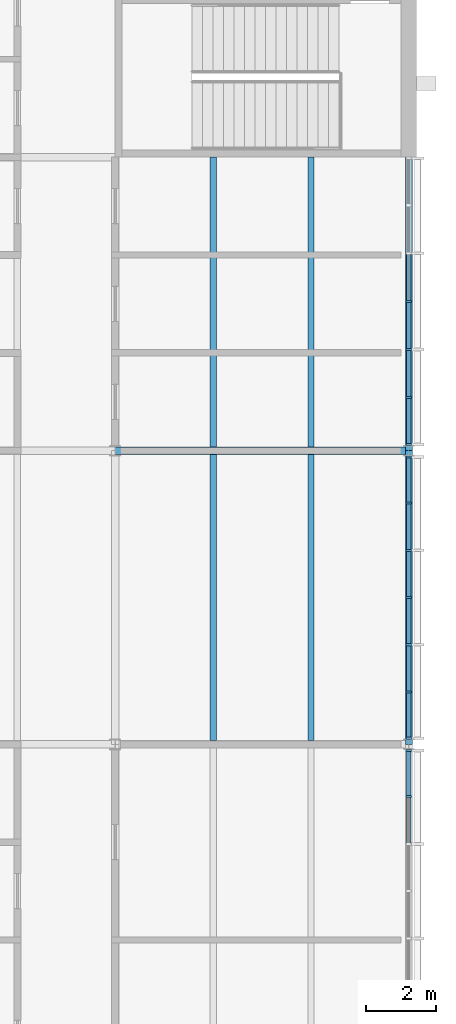
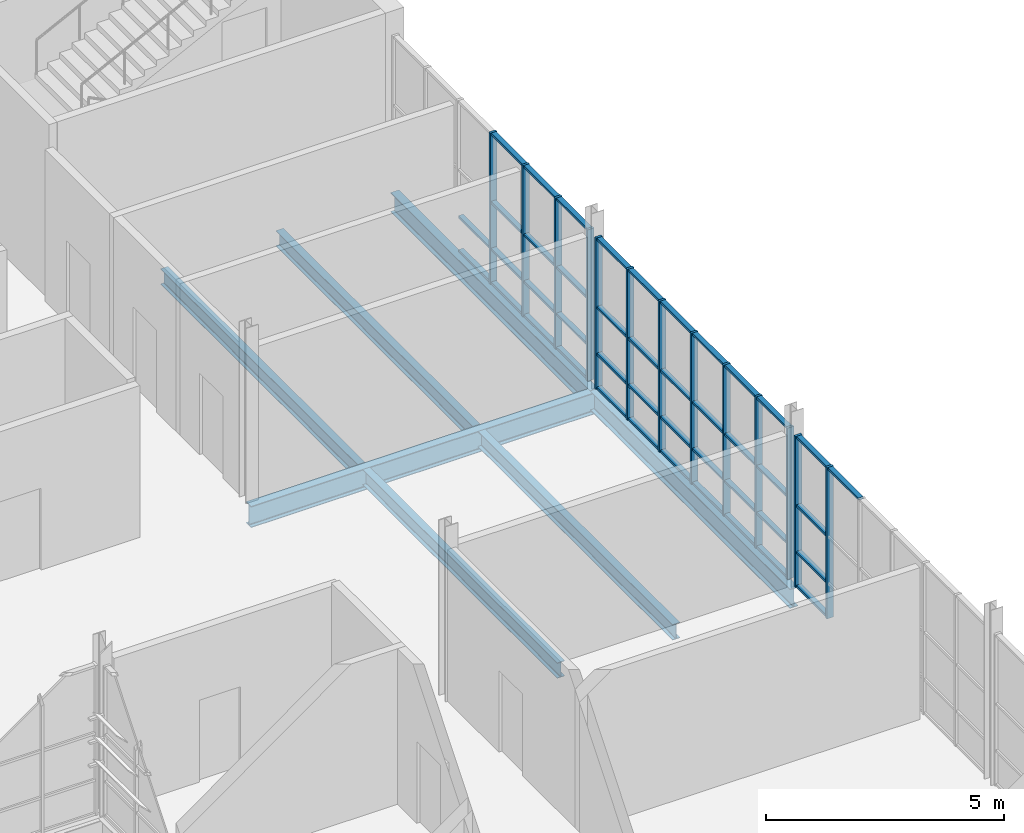
# One storey, part 57 of 129: 56 members, 7 beams, 3 elements without a shape of their own.
"""IFC4 building model written with IfcOpenShell, lengths in metres."""

from ifc_helpers import new_model, si_unit, direction, frame, origin, origin_2d, place, context, subcontext, project, spatial, rectangle, i_section, extrude, material, layer, layer_set, material_profile, profile_set, type_object, element, aggregate, save


model = new_model("IFC4")

# Units and contexts
model_context = context("Model", 3, precision=1e-05, world=origin(), true_north=direction((0.0, 1.0)))
body_context = subcontext(model_context, "Body", "Model", "MODEL_VIEW")
ifc_project = project(units=[si_unit("LENGTHUNIT", "METRE"), si_unit("AREAUNIT", "SQUARE_METRE"), si_unit("VOLUMEUNIT", "CUBIC_METRE"), si_unit("PLANEANGLEUNIT", "RADIAN"), si_unit("MASSUNIT", "GRAM", prefix="KILO")], contexts=[model_context])

# Site, building, storey
site_placement = place(None, origin())
site = spatial("IfcSite", under=ifc_project, at=site_placement, CompositionType="ELEMENT")
building_placement = place(site_placement, origin())
building = spatial("IfcBuilding", under=site, at=building_placement, Name="Ardhachandra Cancer Care Centre", CompositionType="ELEMENT")
storey_placement = place(building_placement, frame((0.0, 0.0, 4.5)))
storey = spatial("IfcBuildingStorey", under=building, at=storey_placement, Name="L01", CompositionType="ELEMENT", Elevation=4.5)

# Beams
ifc_material_1 = material(Name="Steel E350 (IS 2062)", Category="steel")
ifc_material_profile_1 = material_profile(ifc_material_1, i_section(OverallWidth=0.179931640625, OverallDepth=0.39990234375, WebThickness=0.008544921875, FlangeThickness=0.013427734375, FilletRadius=0.02099609375, at=origin_2d()), Name="NPB 400x180x66.30")
ifc_profile_set_1 = profile_set([ifc_material_profile_1], Name="Steel E350 (IS 2062)")
beam_type_1 = type_object("IfcBeamType", Name="Beam NPB 400x180x66.30", PredefinedType="BEAM", material=ifc_profile_set_1)
beam_1_placement = place(storey_placement, frame((139.60009765625, 54.705078125, -0.35009765625), z_axis=(0.0, 1.0, 0.0), x_axis=(-1.0, 0.0, 0.0)))
element("IfcBeam", 1, at=beam_1_placement, inside=storey, type_object=beam_type_1, Name="Secondary F16-G16@2800", PredefinedType="BEAM", context=body_context, shape_type="SweptSolid", body=[
    extrude(i_section(OverallWidth=0.179931640625, OverallDepth=0.39990234375, WebThickness=0.008544921875, FlangeThickness=0.013427734375, FilletRadius=0.02099609375, at=origin_2d()), origin(), (0.0, 0.0, 1.0), 8.18994140625),
])
beam_2_placement = place(storey_placement, frame((139.60009765625, 63.10498046875, -0.35009765625), z_axis=(0.0, 1.0, 0.0), x_axis=(-1.0, 0.0, 0.0)))
element("IfcBeam", 2, at=beam_2_placement, inside=storey, type_object=beam_type_1, Name="Secondary G16-H16@2800", PredefinedType="BEAM", context=body_context, shape_type="SweptSolid", body=[
    extrude(i_section(OverallWidth=0.179931640625, OverallDepth=0.39990234375, WebThickness=0.008544921875, FlangeThickness=0.013427734375, FilletRadius=0.02099609375, at=origin_2d()), origin(), (0.0, 0.0, 1.0), 8.294921875),
])
beam_3_placement = place(storey_placement, frame((142.39990234375, 54.705078125, -0.35009765625), z_axis=(0.0, 1.0, 0.0), x_axis=(-1.0, 0.0, 0.0)))
element("IfcBeam", 3, at=beam_3_placement, inside=storey, type_object=beam_type_1, Name="Secondary F16-G16@5600", PredefinedType="BEAM", context=body_context, shape_type="SweptSolid", body=[
    extrude(i_section(OverallWidth=0.179931640625, OverallDepth=0.39990234375, WebThickness=0.008544921875, FlangeThickness=0.013427734375, FilletRadius=0.02099609375, at=origin_2d()), origin(), (0.0, 0.0, 1.0), 8.18994140625),
])
beam_4_placement = place(storey_placement, frame((142.39990234375, 63.10498046875, -0.35009765625), z_axis=(0.0, 1.0, 0.0), x_axis=(-1.0, 0.0, 0.0)))
element("IfcBeam", 4, at=beam_4_placement, inside=storey, type_object=beam_type_1, Name="Secondary G16-H16@5600", PredefinedType="BEAM", context=body_context, shape_type="SweptSolid", body=[
    extrude(i_section(OverallWidth=0.179931640625, OverallDepth=0.39990234375, WebThickness=0.008544921875, FlangeThickness=0.013427734375, FilletRadius=0.02099609375, at=origin_2d()), origin(), (0.0, 0.0, 1.0), 8.294921875),
])
ifc_material_2 = material(Name="Steel E350 (IS 2062)", Category="steel")
ifc_material_profile_2 = material_profile(ifc_material_2, i_section(OverallWidth=0.199951171875, OverallDepth=0.5, WebThickness=0.01025390625, FlangeThickness=0.01611328125, FilletRadius=0.02099609375, at=origin_2d()), Name="NPB 500x200x90.68")
ifc_profile_set_2 = profile_set([ifc_material_profile_2], Name="Steel E350 (IS 2062)")
beam_type_2 = type_object("IfcBeamType", Name="Beam NPB 500x200x90.68", PredefinedType="BEAM", material=ifc_profile_set_2)
for number, where, z_axis, x_axis, name in (
    (5, (145.199951171875, 54.60009765625, -0.39990234375), (0.0, 1.0, 0.0), (-1.0, 0.0, 0.0), "Edge girder F17-G17"),
    (6, (145.199951171875, 63.0, -0.39990234375), (0.0, 1.0, 0.0), (-1.0, 0.0, 0.0), "Edge girder G17-H17"),
):
    element("IfcBeam", number, at=place(storey_placement, frame(where, z_axis=z_axis, x_axis=x_axis)), inside=storey, type_object=beam_type_2, Name=name, PredefinedType="BEAM", context=body_context, shape_type="SweptSolid", body=[
        extrude(i_section(OverallWidth=0.199951171875, OverallDepth=0.5, WebThickness=0.01025390625, FlangeThickness=0.01611328125, FilletRadius=0.02099609375, at=origin_2d()), origin(), (0.0, 0.0, 1.0), 8.39990234375),
    ])
ifc_material_3 = material(Name="Steel E350 (IS 2062)", Category="steel")
ifc_material_profile_3 = material_profile(ifc_material_3, i_section(OverallWidth=0.2099609375, OverallDepth=0.550048828125, WebThickness=0.010986328125, FlangeThickness=0.01708984375, FilletRadius=0.02392578125, at=origin_2d()), Name="NPB 550x210x105.52")
ifc_profile_set_3 = profile_set([ifc_material_profile_3], Name="Steel E350 (IS 2062)")
beam_type_3 = type_object("IfcBeamType", Name="Beam NPB 550x210x105.52", PredefinedType="BEAM", material=ifc_profile_set_3)
beam_5_placement = place(storey_placement, frame((136.800048828125, 63.0, -0.425048828125), z_axis=(1.0, 0.0, 0.0), x_axis=(0.0, 1.0, 0.0)))
element("IfcBeam", 7, at=beam_5_placement, inside=storey, type_object=beam_type_3, Name="Girder G16-G17", PredefinedType="BEAM", context=body_context, shape_type="SweptSolid", body=[
    extrude(i_section(OverallWidth=0.2099609375, OverallDepth=0.550048828125, WebThickness=0.010986328125, FlangeThickness=0.01708984375, FilletRadius=0.02392578125, at=origin_2d()), origin(), (0.0, 0.0, 1.0), 8.39990234375),
])

# Curtain wall, members
ifc_material_4 = material(Name="Aluminium extrusion", Category="aluminium")
ifc_layer = layer(ifc_material_4, 0.14990234375)
ifc_layer_set = layer_set([ifc_layer], Name="Aluminium extrusion")
curtain_wall_type = type_object("IfcCurtainWallType", Name="Curtain wall run", PredefinedType="NOTDEFINED", material=ifc_layer_set)
curtain_wall_1_placement = place(storey_placement, origin())
curtain_wall_1 = element("IfcCurtainWall", 8, at=curtain_wall_1_placement, inside=storey, type_object=curtain_wall_type, Name="Curtain wall L01 e/0145200_0046200", PredefinedType="NOTDEFINED")
ifc_material_5 = material(Name="Aluminium extrusion", Category="aluminium")
ifc_material_profile_4 = material_profile(ifc_material_5, rectangle(XDim=0.159912109375, YDim=0.06005859375, at=origin_2d()), Name="Curtain wall mullion 60 x 160")
ifc_profile_set_4 = profile_set([ifc_material_profile_4], Name="Aluminium extrusion")
member_type_1 = type_object("IfcMemberType", Name="Curtain wall mullion 60 x 160", PredefinedType="MULLION", material=ifc_profile_set_4)
member_1_placement = place(storey_placement, frame((145.199951171875, 53.103271484375, 0.0), z_axis=(0.0, 0.0, 1.0), x_axis=(-1.0, 0.0, 0.0)))
member_1 = element("IfcMember", 9, at=member_1_placement, type_object=member_type_1, Name="CW mullion 6", PredefinedType="MULLION", context=body_context, shape_type="SweptSolid", body=[
    extrude(rectangle(XDim=0.159912109375, YDim=0.06005859375, at=origin_2d()), origin(), (0.0, 0.0, 1.0), 3.885986328125),
])
member_2_placement = place(storey_placement, frame((145.199951171875, 54.425048828125, 0.0), z_axis=(0.0, 0.0, 1.0), x_axis=(-1.0, 0.0, 0.0)))
member_2 = element("IfcMember", 10, at=member_2_placement, type_object=member_type_1, Name="CW mullion 7", PredefinedType="MULLION", context=body_context, shape_type="SweptSolid", body=[
    extrude(rectangle(XDim=0.159912109375, YDim=0.06005859375, at=origin_2d()), origin(), (0.0, 0.0, 1.0), 3.885986328125),
])

curtain_wall_2_placement = place(storey_placement, origin())
curtain_wall_2 = element("IfcCurtainWall", 11, at=curtain_wall_2_placement, inside=storey, type_object=curtain_wall_type, Name="Curtain wall L01 e/0145200_0054600", PredefinedType="NOTDEFINED")
member_3_placement = place(storey_placement, frame((145.199951171875, 54.77490234375, 0.0), z_axis=(0.0, 0.0, 1.0), x_axis=(-1.0, 0.0, 0.0)))
member_3 = element("IfcMember", 12, at=member_3_placement, type_object=member_type_1, Name="CW mullion 1", PredefinedType="MULLION", context=body_context, shape_type="SweptSolid", body=[
    extrude(rectangle(XDim=0.159912109375, YDim=0.06005859375, at=origin_2d()), origin(), (0.0, 0.0, 1.0), 3.885986328125),
])
member_4_placement = place(storey_placement, frame((145.199951171875, 56.0966796875, 0.0), z_axis=(0.0, 0.0, 1.0), x_axis=(-1.0, 0.0, 0.0)))
member_4 = element("IfcMember", 13, at=member_4_placement, type_object=member_type_1, Name="CW mullion 2", PredefinedType="MULLION", context=body_context, shape_type="SweptSolid", body=[
    extrude(rectangle(XDim=0.159912109375, YDim=0.06005859375, at=origin_2d()), origin(), (0.0, 0.0, 1.0), 3.885986328125),
])
member_5_placement = place(storey_placement, frame((145.199951171875, 57.4482421875, 0.0), z_axis=(0.0, 0.0, 1.0), x_axis=(-1.0, 0.0, 0.0)))
member_5 = element("IfcMember", 14, at=member_5_placement, type_object=member_type_1, Name="CW mullion 3", PredefinedType="MULLION", context=body_context, shape_type="SweptSolid", body=[
    extrude(rectangle(XDim=0.159912109375, YDim=0.06005859375, at=origin_2d()), origin(), (0.0, 0.0, 1.0), 3.885986328125),
])
member_6_placement = place(storey_placement, frame((145.199951171875, 58.800048828125, 0.0), z_axis=(0.0, 0.0, 1.0), x_axis=(-1.0, 0.0, 0.0)))
member_6 = element("IfcMember", 15, at=member_6_placement, type_object=member_type_1, Name="CW mullion 4", PredefinedType="MULLION", context=body_context, shape_type="SweptSolid", body=[
    extrude(rectangle(XDim=0.159912109375, YDim=0.06005859375, at=origin_2d()), origin(), (0.0, 0.0, 1.0), 3.885986328125),
])
member_7_placement = place(storey_placement, frame((145.199951171875, 60.151611328125, 0.0), z_axis=(0.0, 0.0, 1.0), x_axis=(-1.0, 0.0, 0.0)))
member_7 = element("IfcMember", 16, at=member_7_placement, type_object=member_type_1, Name="CW mullion 5", PredefinedType="MULLION", context=body_context, shape_type="SweptSolid", body=[
    extrude(rectangle(XDim=0.159912109375, YDim=0.06005859375, at=origin_2d()), origin(), (0.0, 0.0, 1.0), 3.885986328125),
])
member_8_placement = place(storey_placement, frame((145.199951171875, 61.50341796875, 0.0), z_axis=(0.0, 0.0, 1.0), x_axis=(-1.0, 0.0, 0.0)))
member_8 = element("IfcMember", 17, at=member_8_placement, type_object=member_type_1, Name="CW mullion 6", PredefinedType="MULLION", context=body_context, shape_type="SweptSolid", body=[
    extrude(rectangle(XDim=0.159912109375, YDim=0.06005859375, at=origin_2d()), origin(), (0.0, 0.0, 1.0), 3.885986328125),
])
member_9_placement = place(storey_placement, frame((145.199951171875, 62.824951171875, 0.0), z_axis=(0.0, 0.0, 1.0), x_axis=(-1.0, 0.0, 0.0)))
member_9 = element("IfcMember", 18, at=member_9_placement, type_object=member_type_1, Name="CW mullion 7", PredefinedType="MULLION", context=body_context, shape_type="SweptSolid", body=[
    extrude(rectangle(XDim=0.159912109375, YDim=0.06005859375, at=origin_2d()), origin(), (0.0, 0.0, 1.0), 3.885986328125),
])

curtain_wall_3_placement = place(storey_placement, origin())
curtain_wall_3 = element("IfcCurtainWall", 19, at=curtain_wall_3_placement, inside=storey, type_object=curtain_wall_type, Name="Curtain wall L01 e/0145200_0063000", PredefinedType="NOTDEFINED")
member_10_placement = place(storey_placement, frame((145.199951171875, 63.175048828125, 0.0), z_axis=(0.0, 0.0, 1.0), x_axis=(-1.0, 0.0, 0.0)))
member_10 = element("IfcMember", 20, at=member_10_placement, type_object=member_type_1, Name="CW mullion 1", PredefinedType="MULLION", context=body_context, shape_type="SweptSolid", body=[
    extrude(rectangle(XDim=0.159912109375, YDim=0.06005859375, at=origin_2d()), origin(), (0.0, 0.0, 1.0), 3.885986328125),
])
member_11_placement = place(storey_placement, frame((145.199951171875, 64.520751953125, 0.0), z_axis=(0.0, 0.0, 1.0), x_axis=(-1.0, 0.0, 0.0)))
member_11 = element("IfcMember", 21, at=member_11_placement, type_object=member_type_1, Name="CW mullion 2", PredefinedType="MULLION", context=body_context, shape_type="SweptSolid", body=[
    extrude(rectangle(XDim=0.159912109375, YDim=0.06005859375, at=origin_2d()), origin(), (0.0, 0.0, 1.0), 3.885986328125),
])
member_12_placement = place(storey_placement, frame((145.199951171875, 65.896728515625, 0.0), z_axis=(0.0, 0.0, 1.0), x_axis=(-1.0, 0.0, 0.0)))
member_12 = element("IfcMember", 22, at=member_12_placement, type_object=member_type_1, Name="CW mullion 3", PredefinedType="MULLION", context=body_context, shape_type="SweptSolid", body=[
    extrude(rectangle(XDim=0.159912109375, YDim=0.06005859375, at=origin_2d()), origin(), (0.0, 0.0, 1.0), 3.885986328125),
])
member_13_placement = place(storey_placement, frame((145.199951171875, 67.2724609375, 0.0), z_axis=(0.0, 0.0, 1.0), x_axis=(-1.0, 0.0, 0.0)))
member_13 = element("IfcMember", 23, at=member_13_placement, type_object=member_type_1, Name="CW mullion 4", PredefinedType="MULLION", context=body_context, shape_type="SweptSolid", body=[
    extrude(rectangle(XDim=0.159912109375, YDim=0.06005859375, at=origin_2d()), origin(), (0.0, 0.0, 1.0), 3.885986328125),
])

# Member
ifc_material_6 = material(Name="Aluminium extrusion", Category="aluminium")
ifc_material_profile_5 = material_profile(ifc_material_6, rectangle(XDim=0.1201171875, YDim=0.06005859375, at=origin_2d()), Name="Curtain wall transom 60 x 120")
ifc_profile_set_5 = profile_set([ifc_material_profile_5], Name="Aluminium extrusion")
member_type_2 = type_object("IfcMemberType", Name="Curtain wall transom 60 x 120", PredefinedType="USERDEFINED", material=ifc_profile_set_5)
member_14_placement = place(storey_placement, frame((145.199951171875, 51.78173828125, 3.85595703125), z_axis=(0.0, 1.0, 0.0), x_axis=(-1.0, 0.0, 0.0)))
member_14 = element("IfcMember", 24, at=member_14_placement, type_object=member_type_2, Name="CW transom 5.4", ObjectType="TRANSOM", PredefinedType="USERDEFINED", context=body_context, shape_type="SweptSolid", body=[
    extrude(rectangle(XDim=0.1201171875, YDim=0.06005859375, at=origin_2d()), origin(), (0.0, 0.0, 1.0), 1.29150390625),
])

member_15_placement = place(storey_placement, frame((145.199951171875, 53.13330078125, 0.030029296875), z_axis=(0.0, 1.0, 0.0), x_axis=(-1.0, 0.0, 0.0)))
member_15 = element("IfcMember", 25, at=member_15_placement, type_object=member_type_2, Name="CW transom 6.1", ObjectType="TRANSOM", PredefinedType="USERDEFINED", context=body_context, shape_type="SweptSolid", body=[
    extrude(rectangle(XDim=0.1201171875, YDim=0.06005859375, at=origin_2d()), origin(), (0.0, 0.0, 1.0), 1.26171875),
])

member_16_placement = place(storey_placement, frame((145.199951171875, 53.13330078125, 0.89990234375), z_axis=(0.0, 1.0, 0.0), x_axis=(-1.0, 0.0, 0.0)))
member_16 = element("IfcMember", 26, at=member_16_placement, type_object=member_type_2, Name="CW transom 6.2", ObjectType="TRANSOM", PredefinedType="USERDEFINED", context=body_context, shape_type="SweptSolid", body=[
    extrude(rectangle(XDim=0.1201171875, YDim=0.06005859375, at=origin_2d()), origin(), (0.0, 0.0, 1.0), 1.26171875),
])

member_17_placement = place(storey_placement, frame((145.199951171875, 53.13330078125, 2.10009765625), z_axis=(0.0, 1.0, 0.0), x_axis=(-1.0, 0.0, 0.0)))
member_17 = element("IfcMember", 27, at=member_17_placement, type_object=member_type_2, Name="CW transom 6.3", ObjectType="TRANSOM", PredefinedType="USERDEFINED", context=body_context, shape_type="SweptSolid", body=[
    extrude(rectangle(XDim=0.1201171875, YDim=0.06005859375, at=origin_2d()), origin(), (0.0, 0.0, 1.0), 1.26171875),
])

member_18_placement = place(storey_placement, frame((145.199951171875, 53.13330078125, 3.85595703125), z_axis=(0.0, 1.0, 0.0), x_axis=(-1.0, 0.0, 0.0)))
member_18 = element("IfcMember", 28, at=member_18_placement, type_object=member_type_2, Name="CW transom 6.4", ObjectType="TRANSOM", PredefinedType="USERDEFINED", context=body_context, shape_type="SweptSolid", body=[
    extrude(rectangle(XDim=0.1201171875, YDim=0.06005859375, at=origin_2d()), origin(), (0.0, 0.0, 1.0), 1.26171875),
])

aggregate(curtain_wall_1, [member_1, member_2, member_14, member_15, member_16, member_17, member_18])

member_19_placement = place(storey_placement, frame((145.199951171875, 54.804931640625, 0.030029296875), z_axis=(0.0, 1.0, 0.0), x_axis=(-1.0, 0.0, 0.0)))
member_19 = element("IfcMember", 29, at=member_19_placement, type_object=member_type_2, Name="CW transom 1.1", ObjectType="TRANSOM", PredefinedType="USERDEFINED", context=body_context, shape_type="SweptSolid", body=[
    extrude(rectangle(XDim=0.1201171875, YDim=0.06005859375, at=origin_2d()), origin(), (0.0, 0.0, 1.0), 1.26171875),
])

member_20_placement = place(storey_placement, frame((145.199951171875, 54.804931640625, 0.89990234375), z_axis=(0.0, 1.0, 0.0), x_axis=(-1.0, 0.0, 0.0)))
member_20 = element("IfcMember", 30, at=member_20_placement, type_object=member_type_2, Name="CW transom 1.2", ObjectType="TRANSOM", PredefinedType="USERDEFINED", context=body_context, shape_type="SweptSolid", body=[
    extrude(rectangle(XDim=0.1201171875, YDim=0.06005859375, at=origin_2d()), origin(), (0.0, 0.0, 1.0), 1.26171875),
])

member_21_placement = place(storey_placement, frame((145.199951171875, 54.804931640625, 2.10009765625), z_axis=(0.0, 1.0, 0.0), x_axis=(-1.0, 0.0, 0.0)))
member_21 = element("IfcMember", 31, at=member_21_placement, type_object=member_type_2, Name="CW transom 1.3", ObjectType="TRANSOM", PredefinedType="USERDEFINED", context=body_context, shape_type="SweptSolid", body=[
    extrude(rectangle(XDim=0.1201171875, YDim=0.06005859375, at=origin_2d()), origin(), (0.0, 0.0, 1.0), 1.26171875),
])

member_22_placement = place(storey_placement, frame((145.199951171875, 54.804931640625, 3.85595703125), z_axis=(0.0, 1.0, 0.0), x_axis=(-1.0, 0.0, 0.0)))
member_22 = element("IfcMember", 32, at=member_22_placement, type_object=member_type_2, Name="CW transom 1.4", ObjectType="TRANSOM", PredefinedType="USERDEFINED", context=body_context, shape_type="SweptSolid", body=[
    extrude(rectangle(XDim=0.1201171875, YDim=0.06005859375, at=origin_2d()), origin(), (0.0, 0.0, 1.0), 1.26171875),
])

member_23_placement = place(storey_placement, frame((145.199951171875, 56.126708984375, 0.030029296875), z_axis=(0.0, 1.0, 0.0), x_axis=(-1.0, 0.0, 0.0)))
member_23 = element("IfcMember", 33, at=member_23_placement, type_object=member_type_2, Name="CW transom 2.1", ObjectType="TRANSOM", PredefinedType="USERDEFINED", context=body_context, shape_type="SweptSolid", body=[
    extrude(rectangle(XDim=0.1201171875, YDim=0.06005859375, at=origin_2d()), origin(), (0.0, 0.0, 1.0), 1.29150390625),
])

member_24_placement = place(storey_placement, frame((145.199951171875, 56.126708984375, 0.89990234375), z_axis=(0.0, 1.0, 0.0), x_axis=(-1.0, 0.0, 0.0)))
member_24 = element("IfcMember", 34, at=member_24_placement, type_object=member_type_2, Name="CW transom 2.2", ObjectType="TRANSOM", PredefinedType="USERDEFINED", context=body_context, shape_type="SweptSolid", body=[
    extrude(rectangle(XDim=0.1201171875, YDim=0.06005859375, at=origin_2d()), origin(), (0.0, 0.0, 1.0), 1.29150390625),
])

member_25_placement = place(storey_placement, frame((145.199951171875, 56.126708984375, 2.10009765625), z_axis=(0.0, 1.0, 0.0), x_axis=(-1.0, 0.0, 0.0)))
member_25 = element("IfcMember", 35, at=member_25_placement, type_object=member_type_2, Name="CW transom 2.3", ObjectType="TRANSOM", PredefinedType="USERDEFINED", context=body_context, shape_type="SweptSolid", body=[
    extrude(rectangle(XDim=0.1201171875, YDim=0.06005859375, at=origin_2d()), origin(), (0.0, 0.0, 1.0), 1.29150390625),
])

member_26_placement = place(storey_placement, frame((145.199951171875, 56.126708984375, 3.85595703125), z_axis=(0.0, 1.0, 0.0), x_axis=(-1.0, 0.0, 0.0)))
member_26 = element("IfcMember", 36, at=member_26_placement, type_object=member_type_2, Name="CW transom 2.4", ObjectType="TRANSOM", PredefinedType="USERDEFINED", context=body_context, shape_type="SweptSolid", body=[
    extrude(rectangle(XDim=0.1201171875, YDim=0.06005859375, at=origin_2d()), origin(), (0.0, 0.0, 1.0), 1.29150390625),
])

member_27_placement = place(storey_placement, frame((145.199951171875, 57.478271484375, 0.030029296875), z_axis=(0.0, 1.0, 0.0), x_axis=(-1.0, 0.0, 0.0)))
member_27 = element("IfcMember", 37, at=member_27_placement, type_object=member_type_2, Name="CW transom 3.1", ObjectType="TRANSOM", PredefinedType="USERDEFINED", context=body_context, shape_type="SweptSolid", body=[
    extrude(rectangle(XDim=0.1201171875, YDim=0.06005859375, at=origin_2d()), origin(), (0.0, 0.0, 1.0), 1.291748046875),
])

member_28_placement = place(storey_placement, frame((145.199951171875, 57.478271484375, 0.89990234375), z_axis=(0.0, 1.0, 0.0), x_axis=(-1.0, 0.0, 0.0)))
member_28 = element("IfcMember", 38, at=member_28_placement, type_object=member_type_2, Name="CW transom 3.2", ObjectType="TRANSOM", PredefinedType="USERDEFINED", context=body_context, shape_type="SweptSolid", body=[
    extrude(rectangle(XDim=0.1201171875, YDim=0.06005859375, at=origin_2d()), origin(), (0.0, 0.0, 1.0), 1.291748046875),
])

member_29_placement = place(storey_placement, frame((145.199951171875, 57.478271484375, 2.10009765625), z_axis=(0.0, 1.0, 0.0), x_axis=(-1.0, 0.0, 0.0)))
member_29 = element("IfcMember", 39, at=member_29_placement, type_object=member_type_2, Name="CW transom 3.3", ObjectType="TRANSOM", PredefinedType="USERDEFINED", context=body_context, shape_type="SweptSolid", body=[
    extrude(rectangle(XDim=0.1201171875, YDim=0.06005859375, at=origin_2d()), origin(), (0.0, 0.0, 1.0), 1.291748046875),
])

member_30_placement = place(storey_placement, frame((145.199951171875, 57.478271484375, 3.85595703125), z_axis=(0.0, 1.0, 0.0), x_axis=(-1.0, 0.0, 0.0)))
member_30 = element("IfcMember", 40, at=member_30_placement, type_object=member_type_2, Name="CW transom 3.4", ObjectType="TRANSOM", PredefinedType="USERDEFINED", context=body_context, shape_type="SweptSolid", body=[
    extrude(rectangle(XDim=0.1201171875, YDim=0.06005859375, at=origin_2d()), origin(), (0.0, 0.0, 1.0), 1.291748046875),
])

member_31_placement = place(storey_placement, frame((145.199951171875, 58.830078125, 0.030029296875), z_axis=(0.0, 1.0, 0.0), x_axis=(-1.0, 0.0, 0.0)))
member_31 = element("IfcMember", 41, at=member_31_placement, type_object=member_type_2, Name="CW transom 4.1", ObjectType="TRANSOM", PredefinedType="USERDEFINED", context=body_context, shape_type="SweptSolid", body=[
    extrude(rectangle(XDim=0.1201171875, YDim=0.06005859375, at=origin_2d()), origin(), (0.0, 0.0, 1.0), 1.29150390625),
])

member_32_placement = place(storey_placement, frame((145.199951171875, 58.830078125, 0.89990234375), z_axis=(0.0, 1.0, 0.0), x_axis=(-1.0, 0.0, 0.0)))
member_32 = element("IfcMember", 42, at=member_32_placement, type_object=member_type_2, Name="CW transom 4.2", ObjectType="TRANSOM", PredefinedType="USERDEFINED", context=body_context, shape_type="SweptSolid", body=[
    extrude(rectangle(XDim=0.1201171875, YDim=0.06005859375, at=origin_2d()), origin(), (0.0, 0.0, 1.0), 1.29150390625),
])

member_33_placement = place(storey_placement, frame((145.199951171875, 58.830078125, 2.10009765625), z_axis=(0.0, 1.0, 0.0), x_axis=(-1.0, 0.0, 0.0)))
member_33 = element("IfcMember", 43, at=member_33_placement, type_object=member_type_2, Name="CW transom 4.3", ObjectType="TRANSOM", PredefinedType="USERDEFINED", context=body_context, shape_type="SweptSolid", body=[
    extrude(rectangle(XDim=0.1201171875, YDim=0.06005859375, at=origin_2d()), origin(), (0.0, 0.0, 1.0), 1.29150390625),
])

member_34_placement = place(storey_placement, frame((145.199951171875, 58.830078125, 3.85595703125), z_axis=(0.0, 1.0, 0.0), x_axis=(-1.0, 0.0, 0.0)))
member_34 = element("IfcMember", 44, at=member_34_placement, type_object=member_type_2, Name="CW transom 4.4", ObjectType="TRANSOM", PredefinedType="USERDEFINED", context=body_context, shape_type="SweptSolid", body=[
    extrude(rectangle(XDim=0.1201171875, YDim=0.06005859375, at=origin_2d()), origin(), (0.0, 0.0, 1.0), 1.29150390625),
])

member_35_placement = place(storey_placement, frame((145.199951171875, 60.181640625, 0.030029296875), z_axis=(0.0, 1.0, 0.0), x_axis=(-1.0, 0.0, 0.0)))
member_35 = element("IfcMember", 45, at=member_35_placement, type_object=member_type_2, Name="CW transom 5.1", ObjectType="TRANSOM", PredefinedType="USERDEFINED", context=body_context, shape_type="SweptSolid", body=[
    extrude(rectangle(XDim=0.1201171875, YDim=0.06005859375, at=origin_2d()), origin(), (0.0, 0.0, 1.0), 1.291748046875),
])

member_36_placement = place(storey_placement, frame((145.199951171875, 60.181640625, 0.89990234375), z_axis=(0.0, 1.0, 0.0), x_axis=(-1.0, 0.0, 0.0)))
member_36 = element("IfcMember", 46, at=member_36_placement, type_object=member_type_2, Name="CW transom 5.2", ObjectType="TRANSOM", PredefinedType="USERDEFINED", context=body_context, shape_type="SweptSolid", body=[
    extrude(rectangle(XDim=0.1201171875, YDim=0.06005859375, at=origin_2d()), origin(), (0.0, 0.0, 1.0), 1.291748046875),
])

member_37_placement = place(storey_placement, frame((145.199951171875, 60.181640625, 2.10009765625), z_axis=(0.0, 1.0, 0.0), x_axis=(-1.0, 0.0, 0.0)))
member_37 = element("IfcMember", 47, at=member_37_placement, type_object=member_type_2, Name="CW transom 5.3", ObjectType="TRANSOM", PredefinedType="USERDEFINED", context=body_context, shape_type="SweptSolid", body=[
    extrude(rectangle(XDim=0.1201171875, YDim=0.06005859375, at=origin_2d()), origin(), (0.0, 0.0, 1.0), 1.291748046875),
])

member_38_placement = place(storey_placement, frame((145.199951171875, 60.181640625, 3.85595703125), z_axis=(0.0, 1.0, 0.0), x_axis=(-1.0, 0.0, 0.0)))
member_38 = element("IfcMember", 48, at=member_38_placement, type_object=member_type_2, Name="CW transom 5.4", ObjectType="TRANSOM", PredefinedType="USERDEFINED", context=body_context, shape_type="SweptSolid", body=[
    extrude(rectangle(XDim=0.1201171875, YDim=0.06005859375, at=origin_2d()), origin(), (0.0, 0.0, 1.0), 1.291748046875),
])

member_39_placement = place(storey_placement, frame((145.199951171875, 61.533447265625, 0.030029296875), z_axis=(0.0, 1.0, 0.0), x_axis=(-1.0, 0.0, 0.0)))
member_39 = element("IfcMember", 49, at=member_39_placement, type_object=member_type_2, Name="CW transom 6.1", ObjectType="TRANSOM", PredefinedType="USERDEFINED", context=body_context, shape_type="SweptSolid", body=[
    extrude(rectangle(XDim=0.1201171875, YDim=0.06005859375, at=origin_2d()), origin(), (0.0, 0.0, 1.0), 1.261474609375),
])

member_40_placement = place(storey_placement, frame((145.199951171875, 61.533447265625, 0.89990234375), z_axis=(0.0, 1.0, 0.0), x_axis=(-1.0, 0.0, 0.0)))
member_40 = element("IfcMember", 50, at=member_40_placement, type_object=member_type_2, Name="CW transom 6.2", ObjectType="TRANSOM", PredefinedType="USERDEFINED", context=body_context, shape_type="SweptSolid", body=[
    extrude(rectangle(XDim=0.1201171875, YDim=0.06005859375, at=origin_2d()), origin(), (0.0, 0.0, 1.0), 1.261474609375),
])

member_41_placement = place(storey_placement, frame((145.199951171875, 61.533447265625, 2.10009765625), z_axis=(0.0, 1.0, 0.0), x_axis=(-1.0, 0.0, 0.0)))
member_41 = element("IfcMember", 51, at=member_41_placement, type_object=member_type_2, Name="CW transom 6.3", ObjectType="TRANSOM", PredefinedType="USERDEFINED", context=body_context, shape_type="SweptSolid", body=[
    extrude(rectangle(XDim=0.1201171875, YDim=0.06005859375, at=origin_2d()), origin(), (0.0, 0.0, 1.0), 1.261474609375),
])

member_42_placement = place(storey_placement, frame((145.199951171875, 61.533447265625, 3.85595703125), z_axis=(0.0, 1.0, 0.0), x_axis=(-1.0, 0.0, 0.0)))
member_42 = element("IfcMember", 52, at=member_42_placement, type_object=member_type_2, Name="CW transom 6.4", ObjectType="TRANSOM", PredefinedType="USERDEFINED", context=body_context, shape_type="SweptSolid", body=[
    extrude(rectangle(XDim=0.1201171875, YDim=0.06005859375, at=origin_2d()), origin(), (0.0, 0.0, 1.0), 1.261474609375),
])

aggregate(curtain_wall_2, [member_3, member_4, member_5, member_6, member_7, member_8, member_9, member_19, member_20, member_21, member_22, member_23, member_24, member_25, member_26, member_27, member_28, member_29, member_30, member_31, member_32, member_33, member_34, member_35, member_36, member_37, member_38, member_39, member_40, member_41, member_42])

member_43_placement = place(storey_placement, frame((145.199951171875, 63.205078125, 0.030029296875), z_axis=(0.0, 1.0, 0.0), x_axis=(-1.0, 0.0, 0.0)))
member_43 = element("IfcMember", 53, at=member_43_placement, type_object=member_type_2, Name="CW transom 1.1", ObjectType="TRANSOM", PredefinedType="USERDEFINED", context=body_context, shape_type="SweptSolid", body=[
    extrude(rectangle(XDim=0.1201171875, YDim=0.06005859375, at=origin_2d()), origin(), (0.0, 0.0, 1.0), 1.28564453125),
])

member_44_placement = place(storey_placement, frame((145.199951171875, 63.205078125, 0.89990234375), z_axis=(0.0, 1.0, 0.0), x_axis=(-1.0, 0.0, 0.0)))
member_44 = element("IfcMember", 54, at=member_44_placement, type_object=member_type_2, Name="CW transom 1.2", ObjectType="TRANSOM", PredefinedType="USERDEFINED", context=body_context, shape_type="SweptSolid", body=[
    extrude(rectangle(XDim=0.1201171875, YDim=0.06005859375, at=origin_2d()), origin(), (0.0, 0.0, 1.0), 1.28564453125),
])

member_45_placement = place(storey_placement, frame((145.199951171875, 63.205078125, 2.10009765625), z_axis=(0.0, 1.0, 0.0), x_axis=(-1.0, 0.0, 0.0)))
member_45 = element("IfcMember", 55, at=member_45_placement, type_object=member_type_2, Name="CW transom 1.3", ObjectType="TRANSOM", PredefinedType="USERDEFINED", context=body_context, shape_type="SweptSolid", body=[
    extrude(rectangle(XDim=0.1201171875, YDim=0.06005859375, at=origin_2d()), origin(), (0.0, 0.0, 1.0), 1.28564453125),
])

member_46_placement = place(storey_placement, frame((145.199951171875, 63.205078125, 3.85595703125), z_axis=(0.0, 1.0, 0.0), x_axis=(-1.0, 0.0, 0.0)))
member_46 = element("IfcMember", 56, at=member_46_placement, type_object=member_type_2, Name="CW transom 1.4", ObjectType="TRANSOM", PredefinedType="USERDEFINED", context=body_context, shape_type="SweptSolid", body=[
    extrude(rectangle(XDim=0.1201171875, YDim=0.06005859375, at=origin_2d()), origin(), (0.0, 0.0, 1.0), 1.28564453125),
])

member_47_placement = place(storey_placement, frame((145.199951171875, 64.55078125, 0.030029296875), z_axis=(0.0, 1.0, 0.0), x_axis=(-1.0, 0.0, 0.0)))
member_47 = element("IfcMember", 57, at=member_47_placement, type_object=member_type_2, Name="CW transom 2.1", ObjectType="TRANSOM", PredefinedType="USERDEFINED", context=body_context, shape_type="SweptSolid", body=[
    extrude(rectangle(XDim=0.1201171875, YDim=0.06005859375, at=origin_2d()), origin(), (0.0, 0.0, 1.0), 1.31591796875),
])

member_48_placement = place(storey_placement, frame((145.199951171875, 64.55078125, 0.89990234375), z_axis=(0.0, 1.0, 0.0), x_axis=(-1.0, 0.0, 0.0)))
member_48 = element("IfcMember", 58, at=member_48_placement, type_object=member_type_2, Name="CW transom 2.2", ObjectType="TRANSOM", PredefinedType="USERDEFINED", context=body_context, shape_type="SweptSolid", body=[
    extrude(rectangle(XDim=0.1201171875, YDim=0.06005859375, at=origin_2d()), origin(), (0.0, 0.0, 1.0), 1.31591796875),
])

member_49_placement = place(storey_placement, frame((145.199951171875, 64.55078125, 2.10009765625), z_axis=(0.0, 1.0, 0.0), x_axis=(-1.0, 0.0, 0.0)))
member_49 = element("IfcMember", 59, at=member_49_placement, type_object=member_type_2, Name="CW transom 2.3", ObjectType="TRANSOM", PredefinedType="USERDEFINED", context=body_context, shape_type="SweptSolid", body=[
    extrude(rectangle(XDim=0.1201171875, YDim=0.06005859375, at=origin_2d()), origin(), (0.0, 0.0, 1.0), 1.31591796875),
])

member_50_placement = place(storey_placement, frame((145.199951171875, 64.55078125, 3.85595703125), z_axis=(0.0, 1.0, 0.0), x_axis=(-1.0, 0.0, 0.0)))
member_50 = element("IfcMember", 60, at=member_50_placement, type_object=member_type_2, Name="CW transom 2.4", ObjectType="TRANSOM", PredefinedType="USERDEFINED", context=body_context, shape_type="SweptSolid", body=[
    extrude(rectangle(XDim=0.1201171875, YDim=0.06005859375, at=origin_2d()), origin(), (0.0, 0.0, 1.0), 1.31591796875),
])

member_51_placement = place(storey_placement, frame((145.199951171875, 65.9267578125, 0.030029296875), z_axis=(0.0, 1.0, 0.0), x_axis=(-1.0, 0.0, 0.0)))
member_51 = element("IfcMember", 61, at=member_51_placement, type_object=member_type_2, Name="CW transom 3.1", ObjectType="TRANSOM", PredefinedType="USERDEFINED", context=body_context, shape_type="SweptSolid", body=[
    extrude(rectangle(XDim=0.1201171875, YDim=0.06005859375, at=origin_2d()), origin(), (0.0, 0.0, 1.0), 1.315673828125),
])

member_52_placement = place(storey_placement, frame((145.199951171875, 65.9267578125, 0.89990234375), z_axis=(0.0, 1.0, 0.0), x_axis=(-1.0, 0.0, 0.0)))
member_52 = element("IfcMember", 62, at=member_52_placement, type_object=member_type_2, Name="CW transom 3.2", ObjectType="TRANSOM", PredefinedType="USERDEFINED", context=body_context, shape_type="SweptSolid", body=[
    extrude(rectangle(XDim=0.1201171875, YDim=0.06005859375, at=origin_2d()), origin(), (0.0, 0.0, 1.0), 1.315673828125),
])

member_53_placement = place(storey_placement, frame((145.199951171875, 65.9267578125, 2.10009765625), z_axis=(0.0, 1.0, 0.0), x_axis=(-1.0, 0.0, 0.0)))
member_53 = element("IfcMember", 63, at=member_53_placement, type_object=member_type_2, Name="CW transom 3.3", ObjectType="TRANSOM", PredefinedType="USERDEFINED", context=body_context, shape_type="SweptSolid", body=[
    extrude(rectangle(XDim=0.1201171875, YDim=0.06005859375, at=origin_2d()), origin(), (0.0, 0.0, 1.0), 1.315673828125),
])

member_54_placement = place(storey_placement, frame((145.199951171875, 65.9267578125, 3.85595703125), z_axis=(0.0, 1.0, 0.0), x_axis=(-1.0, 0.0, 0.0)))
member_54 = element("IfcMember", 64, at=member_54_placement, type_object=member_type_2, Name="CW transom 3.4", ObjectType="TRANSOM", PredefinedType="USERDEFINED", context=body_context, shape_type="SweptSolid", body=[
    extrude(rectangle(XDim=0.1201171875, YDim=0.06005859375, at=origin_2d()), origin(), (0.0, 0.0, 1.0), 1.315673828125),
])

member_55_placement = place(storey_placement, frame((145.199951171875, 67.302490234375, 0.030029296875), z_axis=(0.0, 1.0, 0.0), x_axis=(-1.0, 0.0, 0.0)))
member_55 = element("IfcMember", 65, at=member_55_placement, type_object=member_type_2, Name="CW transom 4.1", ObjectType="TRANSOM", PredefinedType="USERDEFINED", context=body_context, shape_type="SweptSolid", body=[
    extrude(rectangle(XDim=0.1201171875, YDim=0.06005859375, at=origin_2d()), origin(), (0.0, 0.0, 1.0), 1.31591796875),
])

member_56_placement = place(storey_placement, frame((145.199951171875, 67.302490234375, 0.89990234375), z_axis=(0.0, 1.0, 0.0), x_axis=(-1.0, 0.0, 0.0)))
member_56 = element("IfcMember", 66, at=member_56_placement, type_object=member_type_2, Name="CW transom 4.2", ObjectType="TRANSOM", PredefinedType="USERDEFINED", context=body_context, shape_type="SweptSolid", body=[
    extrude(rectangle(XDim=0.1201171875, YDim=0.06005859375, at=origin_2d()), origin(), (0.0, 0.0, 1.0), 1.31591796875),
])

aggregate(curtain_wall_3, [member_10, member_11, member_12, member_13, member_43, member_44, member_45, member_46, member_47, member_48, member_49, member_50, member_51, member_52, member_53, member_54, member_55, member_56])

save(model, "model.ifc")
